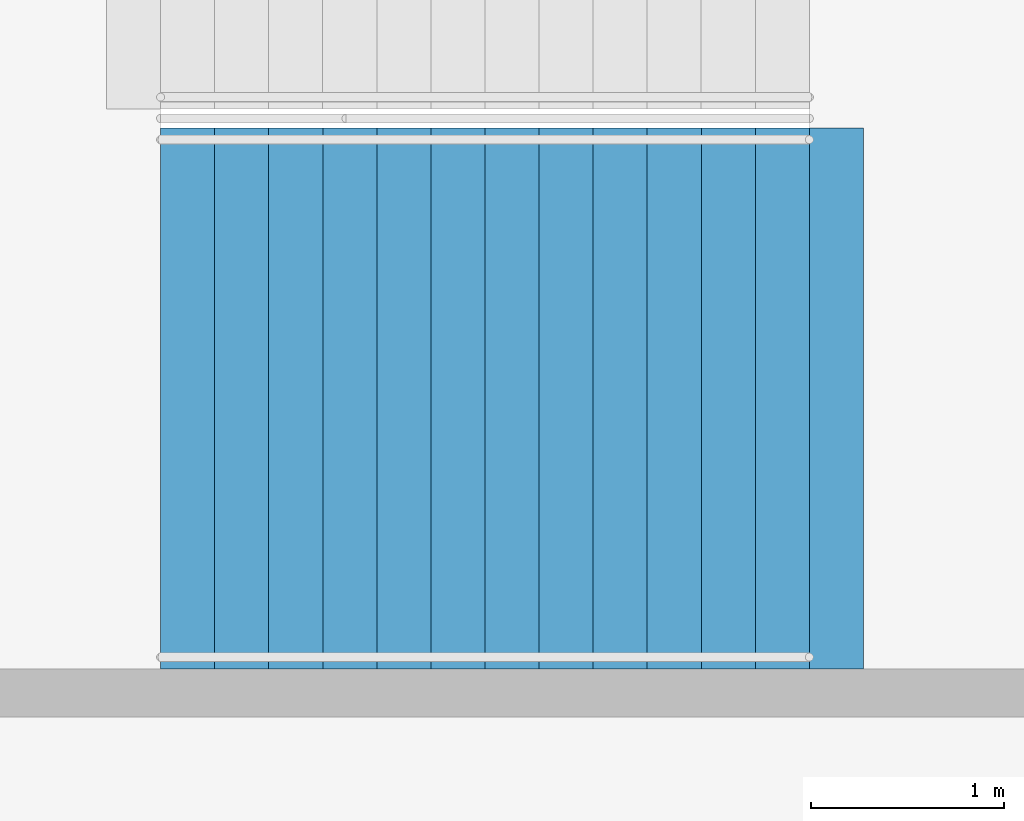
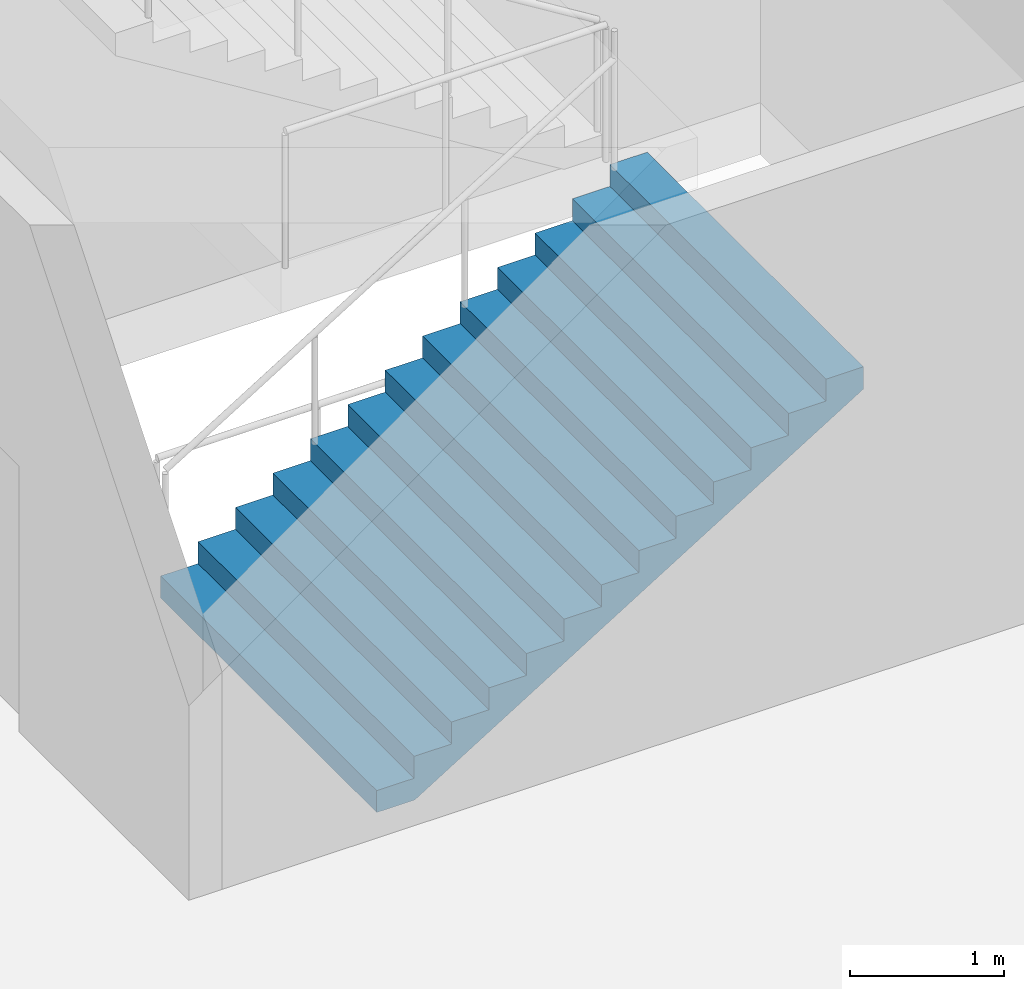
# One storey, part 174 of 199: 1 stair flight, 1 element without a shape of its own.
"""IFC4 building model written with IfcOpenShell, lengths in metres."""

from ifc_helpers import new_model, si_unit, direction, frame, origin, place, context, subcontext, project, spatial, faceted_brep, material, type_object, element, aggregate, save


model = new_model("IFC4")

# Units and contexts
model_context = context("Model", 3, precision=1e-05, world=origin(), true_north=direction((0.0, 1.0)))
body_context = subcontext(model_context, "Body", "Model", "MODEL_VIEW")
ifc_project = project(units=[si_unit("LENGTHUNIT", "METRE"), si_unit("AREAUNIT", "SQUARE_METRE"), si_unit("VOLUMEUNIT", "CUBIC_METRE"), si_unit("PLANEANGLEUNIT", "RADIAN"), si_unit("MASSUNIT", "GRAM", prefix="KILO")], contexts=[model_context])

# Site, building, storey
site_placement = place(None, origin())
site = spatial("IfcSite", under=ifc_project, at=site_placement, CompositionType="ELEMENT")
building_placement = place(site_placement, origin())
building = spatial("IfcBuilding", under=site, at=building_placement, Name="Ogive Plaza Stadium", CompositionType="ELEMENT")
storey_placement = place(building_placement, frame((0.0, 0.0, 4.5)))
storey = spatial("IfcBuildingStorey", under=building, at=storey_placement, Name="L01", CompositionType="ELEMENT", Elevation=4.5)

# Stair, stair flight
ifc_material_1 = material(Name="Concrete C40/50", Category="concrete")
stair_type = type_object("IfcStairType", Name="Exit stair", PredefinedType="STRAIGHT_RUN_STAIR", material=ifc_material_1)
stair_placement = place(storey_placement, origin())
stair = element("IfcStair", 1, at=stair_placement, inside=storey, type_object=stair_type, Name="Exit stair ST02A L01 to L02", PredefinedType="STRAIGHT_RUN_STAIR")
ifc_material_2 = material(Name="Concrete C40/50", Category="concrete")
stair_flight_type = type_object("IfcStairFlightType", Name="Exit stair flight", PredefinedType="STRAIGHT", material=ifc_material_2)
stair_flight_placement = place(storey_placement, frame((76.35009765625, 33.074951171875, 0.0), z_axis=(0.0, 0.0, 1.0), x_axis=(1.0, 0.0, 0.0)))
stair_flight = element("IfcStairFlight", 2, at=stair_flight_placement, type_object=stair_flight_type, Name="ST02A flight 1", NumberOfRisers=13, NumberOfTreads=12, PredefinedType="STRAIGHT", RiserHeight=0.173076923, TreadLength=0.28, context=body_context, shape_type="Brep", body=[
    faceted_brep([(0.28515625, -1.39990234375, 0.0), (3.639892578125, -1.39990234375, 2.07373046875), (3.639892578125, -1.39990234375, 2.25), (3.360107421875, -1.39990234375, 2.25), (3.360107421875, -1.39990234375, 2.076904296875), (3.080078125, -1.39990234375, 2.076904296875), (3.080078125, -1.39990234375, 1.90380859375), (2.800048828125, -1.39990234375, 1.90380859375), (2.800048828125, -1.39990234375, 1.730712890625), (2.52001953125, -1.39990234375, 1.730712890625), (2.52001953125, -1.39990234375, 1.5576171875), (2.239990234375, -1.39990234375, 1.5576171875), (2.239990234375, -1.39990234375, 1.384521484375), (1.9599609375, -1.39990234375, 1.384521484375), (1.9599609375, -1.39990234375, 1.21142578125), (1.679931640625, -1.39990234375, 1.21142578125), (1.679931640625, -1.39990234375, 1.03857421875), (1.39990234375, -1.39990234375, 1.03857421875), (1.39990234375, -1.39990234375, 0.865478515625), (1.1201171875, -1.39990234375, 0.865478515625), (1.1201171875, -1.39990234375, 0.6923828125), (0.840087890625, -1.39990234375, 0.6923828125), (0.840087890625, -1.39990234375, 0.519287109375), (0.56005859375, -1.39990234375, 0.519287109375), (0.56005859375, -1.39990234375, 0.34619140625), (0.280029296875, -1.39990234375, 0.34619140625), (0.280029296875, -1.39990234375, 0.173095703125), (0.0, -1.39990234375, 0.173095703125), (0.0, -1.39990234375, 0.0), (0.0, 1.39990234375, 0.0), (0.0, 1.39990234375, 0.173095703125), (0.280029296875, 1.39990234375, 0.173095703125), (0.280029296875, 1.39990234375, 0.34619140625), (0.56005859375, 1.39990234375, 0.34619140625), (0.56005859375, 1.39990234375, 0.519287109375), (0.840087890625, 1.39990234375, 0.519287109375), (0.840087890625, 1.39990234375, 0.6923828125), (1.1201171875, 1.39990234375, 0.6923828125), (1.1201171875, 1.39990234375, 0.865478515625), (1.39990234375, 1.39990234375, 0.865478515625), (1.39990234375, 1.39990234375, 1.03857421875), (1.679931640625, 1.39990234375, 1.03857421875), (1.679931640625, 1.39990234375, 1.21142578125), (1.9599609375, 1.39990234375, 1.21142578125), (1.9599609375, 1.39990234375, 1.384521484375), (2.239990234375, 1.39990234375, 1.384521484375), (2.239990234375, 1.39990234375, 1.5576171875), (2.52001953125, 1.39990234375, 1.5576171875), (2.52001953125, 1.39990234375, 1.730712890625), (2.800048828125, 1.39990234375, 1.730712890625), (2.800048828125, 1.39990234375, 1.90380859375), (3.080078125, 1.39990234375, 1.90380859375), (3.080078125, 1.39990234375, 2.076904296875), (3.360107421875, 1.39990234375, 2.076904296875), (3.360107421875, 1.39990234375, 2.25), (3.639892578125, 1.39990234375, 2.25), (3.639892578125, 1.39990234375, 2.07373046875), (0.28515625, 1.39990234375, 0.0), (0.28515625, -1.0888671875, 0.0), (3.639892578125, -1.0888671875, 2.07373046875), (0.28515625, -0.77783203125, 0.0), (3.639892578125, -0.77783203125, 2.07373046875), (0.28515625, -0.466796875, 0.0), (3.639892578125, -0.466796875, 2.07373046875), (0.28515625, -0.155517578125, 0.0), (3.639892578125, -0.155517578125, 2.07373046875), (0.28515625, 0.155517578125, 0.0), (3.639892578125, 0.155517578125, 2.07373046875), (0.28515625, 0.466796875, 0.0), (3.639892578125, 0.466796875, 2.07373046875), (0.28515625, 0.77783203125, 0.0), (3.639892578125, 0.77783203125, 2.07373046875), (0.28515625, 1.0888671875, 0.0), (3.639892578125, 1.0888671875, 2.07373046875), (3.639892578125, -1.0888671875, 2.25), (3.639892578125, -0.77783203125, 2.25), (3.639892578125, -0.466796875, 2.25), (3.639892578125, -0.155517578125, 2.25), (3.639892578125, 0.155517578125, 2.25), (3.639892578125, 0.466796875, 2.25), (3.639892578125, 0.77783203125, 2.25), (3.639892578125, 1.0888671875, 2.25), (3.360107421875, -1.0888671875, 2.25), (3.360107421875, -0.77783203125, 2.25), (3.360107421875, -0.466796875, 2.25), (3.360107421875, -0.155517578125, 2.25), (3.360107421875, 0.155517578125, 2.25), (3.360107421875, 0.466796875, 2.25), (3.360107421875, 0.77783203125, 2.25), (3.360107421875, 1.0888671875, 2.25), (3.360107421875, -1.0888671875, 2.076904296875), (3.360107421875, -0.77783203125, 2.076904296875), (3.360107421875, -0.466796875, 2.076904296875), (3.360107421875, -0.155517578125, 2.076904296875), (3.360107421875, 0.155517578125, 2.076904296875), (3.360107421875, 0.466796875, 2.076904296875), (3.360107421875, 0.77783203125, 2.076904296875), (3.360107421875, 1.0888671875, 2.076904296875), (3.080078125, -1.0888671875, 2.076904296875), (3.080078125, -0.77783203125, 2.076904296875), (3.080078125, -0.466796875, 2.076904296875), (3.080078125, -0.155517578125, 2.076904296875), (3.080078125, 0.155517578125, 2.076904296875), (3.080078125, 0.466796875, 2.076904296875), (3.080078125, 0.77783203125, 2.076904296875), (3.080078125, 1.0888671875, 2.076904296875), (3.080078125, -1.0888671875, 1.90380859375), (3.080078125, -0.77783203125, 1.90380859375), (3.080078125, -0.466796875, 1.90380859375), (3.080078125, -0.155517578125, 1.90380859375), (3.080078125, 0.155517578125, 1.90380859375), (3.080078125, 0.466796875, 1.90380859375), (3.080078125, 0.77783203125, 1.90380859375), (3.080078125, 1.0888671875, 1.90380859375), (2.800048828125, -1.0888671875, 1.90380859375), (2.800048828125, -0.77783203125, 1.90380859375), (2.800048828125, -0.466796875, 1.90380859375), (2.800048828125, -0.155517578125, 1.90380859375), (2.800048828125, 0.155517578125, 1.90380859375), (2.800048828125, 0.466796875, 1.90380859375), (2.800048828125, 0.77783203125, 1.90380859375), (2.800048828125, 1.0888671875, 1.90380859375), (2.800048828125, -1.0888671875, 1.730712890625), (2.800048828125, -0.77783203125, 1.730712890625), (2.800048828125, -0.466796875, 1.730712890625), (2.800048828125, -0.155517578125, 1.730712890625), (2.800048828125, 0.155517578125, 1.730712890625), (2.800048828125, 0.466796875, 1.730712890625), (2.800048828125, 0.77783203125, 1.730712890625), (2.800048828125, 1.0888671875, 1.730712890625), (2.52001953125, -1.0888671875, 1.730712890625), (2.52001953125, -0.77783203125, 1.730712890625), (2.52001953125, -0.466796875, 1.730712890625), (2.52001953125, -0.155517578125, 1.730712890625), (2.52001953125, 0.155517578125, 1.730712890625), (2.52001953125, 0.466796875, 1.730712890625), (2.52001953125, 0.77783203125, 1.730712890625), (2.52001953125, 1.0888671875, 1.730712890625), (2.52001953125, -1.0888671875, 1.5576171875), (2.52001953125, -0.77783203125, 1.5576171875), (2.52001953125, -0.466796875, 1.5576171875), (2.52001953125, -0.155517578125, 1.5576171875), (2.52001953125, 0.155517578125, 1.5576171875), (2.52001953125, 0.466796875, 1.5576171875), (2.52001953125, 0.77783203125, 1.5576171875), (2.52001953125, 1.0888671875, 1.5576171875), (2.239990234375, -1.0888671875, 1.5576171875), (2.239990234375, -0.77783203125, 1.5576171875), (2.239990234375, -0.466796875, 1.5576171875), (2.239990234375, -0.155517578125, 1.5576171875), (2.239990234375, 0.155517578125, 1.5576171875), (2.239990234375, 0.466796875, 1.5576171875), (2.239990234375, 0.77783203125, 1.5576171875), (2.239990234375, 1.0888671875, 1.5576171875), (2.239990234375, -1.0888671875, 1.384521484375), (2.239990234375, -0.77783203125, 1.384521484375), (2.239990234375, -0.466796875, 1.384521484375), (2.239990234375, -0.155517578125, 1.384521484375), (2.239990234375, 0.155517578125, 1.384521484375), (2.239990234375, 0.466796875, 1.384521484375), (2.239990234375, 0.77783203125, 1.384521484375), (2.239990234375, 1.0888671875, 1.384521484375), (1.9599609375, -1.0888671875, 1.384521484375), (1.9599609375, -0.77783203125, 1.384521484375), (1.9599609375, -0.466796875, 1.384521484375), (1.9599609375, -0.155517578125, 1.384521484375), (1.9599609375, 0.155517578125, 1.384521484375), (1.9599609375, 0.466796875, 1.384521484375), (1.9599609375, 0.77783203125, 1.384521484375), (1.9599609375, 1.0888671875, 1.384521484375), (1.9599609375, -1.0888671875, 1.21142578125), (1.9599609375, -0.77783203125, 1.21142578125), (1.9599609375, -0.466796875, 1.21142578125), (1.9599609375, -0.155517578125, 1.21142578125), (1.9599609375, 0.155517578125, 1.21142578125), (1.9599609375, 0.466796875, 1.21142578125), (1.9599609375, 0.77783203125, 1.21142578125), (1.9599609375, 1.0888671875, 1.21142578125), (1.679931640625, -1.0888671875, 1.21142578125), (1.679931640625, -0.77783203125, 1.21142578125), (1.679931640625, -0.466796875, 1.21142578125), (1.679931640625, -0.155517578125, 1.21142578125), (1.679931640625, 0.155517578125, 1.21142578125), (1.679931640625, 0.466796875, 1.21142578125), (1.679931640625, 0.77783203125, 1.21142578125), (1.679931640625, 1.0888671875, 1.21142578125), (1.679931640625, -1.0888671875, 1.03857421875), (1.679931640625, -0.77783203125, 1.03857421875), (1.679931640625, -0.466796875, 1.03857421875), (1.679931640625, -0.155517578125, 1.03857421875), (1.679931640625, 0.155517578125, 1.03857421875), (1.679931640625, 0.466796875, 1.03857421875), (1.679931640625, 0.77783203125, 1.03857421875), (1.679931640625, 1.0888671875, 1.03857421875), (1.39990234375, -1.0888671875, 1.03857421875), (1.39990234375, -0.77783203125, 1.03857421875), (1.39990234375, -0.466796875, 1.03857421875), (1.39990234375, -0.155517578125, 1.03857421875), (1.39990234375, 0.155517578125, 1.03857421875), (1.39990234375, 0.466796875, 1.03857421875), (1.39990234375, 0.77783203125, 1.03857421875), (1.39990234375, 1.0888671875, 1.03857421875), (1.39990234375, -1.0888671875, 0.865478515625), (1.39990234375, -0.77783203125, 0.865478515625), (1.39990234375, -0.466796875, 0.865478515625), (1.39990234375, -0.155517578125, 0.865478515625), (1.39990234375, 0.155517578125, 0.865478515625), (1.39990234375, 0.466796875, 0.865478515625), (1.39990234375, 0.77783203125, 0.865478515625), (1.39990234375, 1.0888671875, 0.865478515625), (1.1201171875, -1.0888671875, 0.865478515625), (1.1201171875, -0.77783203125, 0.865478515625), (1.1201171875, -0.466796875, 0.865478515625), (1.1201171875, -0.155517578125, 0.865478515625), (1.1201171875, 0.155517578125, 0.865478515625), (1.1201171875, 0.466796875, 0.865478515625), (1.1201171875, 0.77783203125, 0.865478515625), (1.1201171875, 1.0888671875, 0.865478515625), (1.1201171875, -1.0888671875, 0.6923828125), (1.1201171875, -0.77783203125, 0.6923828125), (1.1201171875, -0.466796875, 0.6923828125), (1.1201171875, -0.155517578125, 0.6923828125), (1.1201171875, 0.155517578125, 0.6923828125), (1.1201171875, 0.466796875, 0.6923828125), (1.1201171875, 0.77783203125, 0.6923828125), (1.1201171875, 1.0888671875, 0.6923828125), (0.840087890625, -1.0888671875, 0.6923828125), (0.840087890625, -0.77783203125, 0.6923828125), (0.840087890625, -0.466796875, 0.6923828125), (0.840087890625, -0.155517578125, 0.6923828125), (0.840087890625, 0.155517578125, 0.6923828125), (0.840087890625, 0.466796875, 0.6923828125), (0.840087890625, 0.77783203125, 0.6923828125), (0.840087890625, 1.0888671875, 0.6923828125), (0.840087890625, -1.0888671875, 0.519287109375), (0.840087890625, -0.77783203125, 0.519287109375), (0.840087890625, -0.466796875, 0.519287109375), (0.840087890625, -0.155517578125, 0.519287109375), (0.840087890625, 0.155517578125, 0.519287109375), (0.840087890625, 0.466796875, 0.519287109375), (0.840087890625, 0.77783203125, 0.519287109375), (0.840087890625, 1.0888671875, 0.519287109375), (0.56005859375, -1.0888671875, 0.519287109375), (0.56005859375, -0.77783203125, 0.519287109375), (0.56005859375, -0.466796875, 0.519287109375), (0.56005859375, -0.155517578125, 0.519287109375), (0.56005859375, 0.155517578125, 0.519287109375), (0.56005859375, 0.466796875, 0.519287109375), (0.56005859375, 0.77783203125, 0.519287109375), (0.56005859375, 1.0888671875, 0.519287109375), (0.56005859375, -1.0888671875, 0.34619140625), (0.56005859375, -0.77783203125, 0.34619140625), (0.56005859375, -0.466796875, 0.34619140625), (0.56005859375, -0.155517578125, 0.34619140625), (0.56005859375, 0.155517578125, 0.34619140625), (0.56005859375, 0.466796875, 0.34619140625), (0.56005859375, 0.77783203125, 0.34619140625), (0.56005859375, 1.0888671875, 0.34619140625), (0.280029296875, -1.0888671875, 0.34619140625), (0.280029296875, -0.77783203125, 0.34619140625), (0.280029296875, -0.466796875, 0.34619140625), (0.280029296875, -0.155517578125, 0.34619140625), (0.280029296875, 0.155517578125, 0.34619140625), (0.280029296875, 0.466796875, 0.34619140625), (0.280029296875, 0.77783203125, 0.34619140625), (0.280029296875, 1.0888671875, 0.34619140625), (0.280029296875, -1.0888671875, 0.173095703125), (0.280029296875, -0.77783203125, 0.173095703125), (0.280029296875, -0.466796875, 0.173095703125), (0.280029296875, -0.155517578125, 0.173095703125), (0.280029296875, 0.155517578125, 0.173095703125), (0.280029296875, 0.466796875, 0.173095703125), (0.280029296875, 0.77783203125, 0.173095703125), (0.280029296875, 1.0888671875, 0.173095703125), (0.0, -1.0888671875, 0.173095703125), (0.0, -0.77783203125, 0.173095703125), (0.0, -0.466796875, 0.173095703125), (0.0, -0.155517578125, 0.173095703125), (0.0, 0.155517578125, 0.173095703125), (0.0, 0.466796875, 0.173095703125), (0.0, 0.77783203125, 0.173095703125), (0.0, 1.0888671875, 0.173095703125), (0.0, -1.0888671875, 0.0), (0.0, -0.77783203125, 0.0), (0.0, -0.466796875, 0.0), (0.0, -0.155517578125, 0.0), (0.0, 0.155517578125, 0.0), (0.0, 0.466796875, 0.0), (0.0, 0.77783203125, 0.0), (0.0, 1.0888671875, 0.0)], [[[0, 1, 2, 3, 4, 5, 6, 7, 8, 9, 10, 11, 12, 13, 14, 15, 16, 17, 18, 19, 20, 21, 22, 23, 24, 25, 26, 27, 28]], [[29, 30, 31, 32, 33, 34, 35, 36, 37, 38, 39, 40, 41, 42, 43, 44, 45, 46, 47, 48, 49, 50, 51, 52, 53, 54, 55, 56, 57]], [[0, 58, 59, 1]], [[58, 60, 61, 59]], [[60, 62, 63, 61]], [[62, 64, 65, 63]], [[64, 66, 67, 65]], [[66, 68, 69, 67]], [[68, 70, 71, 69]], [[70, 72, 73, 71]], [[72, 57, 56, 73]], [[1, 59, 74, 2]], [[59, 61, 75, 74]], [[61, 63, 76, 75]], [[63, 65, 77, 76]], [[65, 67, 78, 77]], [[67, 69, 79, 78]], [[69, 71, 80, 79]], [[71, 73, 81, 80]], [[73, 56, 55, 81]], [[2, 74, 82, 3]], [[74, 75, 83, 82]], [[75, 76, 84, 83]], [[76, 77, 85, 84]], [[77, 78, 86, 85]], [[78, 79, 87, 86]], [[79, 80, 88, 87]], [[80, 81, 89, 88]], [[81, 55, 54, 89]], [[3, 82, 90, 4]], [[82, 83, 91, 90]], [[83, 84, 92, 91]], [[84, 85, 93, 92]], [[85, 86, 94, 93]], [[86, 87, 95, 94]], [[87, 88, 96, 95]], [[88, 89, 97, 96]], [[89, 54, 53, 97]], [[4, 90, 98, 5]], [[90, 91, 99, 98]], [[91, 92, 100, 99]], [[92, 93, 101, 100]], [[93, 94, 102, 101]], [[94, 95, 103, 102]], [[95, 96, 104, 103]], [[96, 97, 105, 104]], [[97, 53, 52, 105]], [[5, 98, 106, 6]], [[98, 99, 107, 106]], [[99, 100, 108, 107]], [[100, 101, 109, 108]], [[101, 102, 110, 109]], [[102, 103, 111, 110]], [[103, 104, 112, 111]], [[104, 105, 113, 112]], [[105, 52, 51, 113]], [[6, 106, 114, 7]], [[106, 107, 115, 114]], [[107, 108, 116, 115]], [[108, 109, 117, 116]], [[109, 110, 118, 117]], [[110, 111, 119, 118]], [[111, 112, 120, 119]], [[112, 113, 121, 120]], [[113, 51, 50, 121]], [[7, 114, 122, 8]], [[114, 115, 123, 122]], [[115, 116, 124, 123]], [[116, 117, 125, 124]], [[117, 118, 126, 125]], [[118, 119, 127, 126]], [[119, 120, 128, 127]], [[120, 121, 129, 128]], [[121, 50, 49, 129]], [[8, 122, 130, 9]], [[122, 123, 131, 130]], [[123, 124, 132, 131]], [[124, 125, 133, 132]], [[125, 126, 134, 133]], [[126, 127, 135, 134]], [[127, 128, 136, 135]], [[128, 129, 137, 136]], [[129, 49, 48, 137]], [[9, 130, 138, 10]], [[130, 131, 139, 138]], [[131, 132, 140, 139]], [[132, 133, 141, 140]], [[133, 134, 142, 141]], [[134, 135, 143, 142]], [[135, 136, 144, 143]], [[136, 137, 145, 144]], [[137, 48, 47, 145]], [[10, 138, 146, 11]], [[138, 139, 147, 146]], [[139, 140, 148, 147]], [[140, 141, 149, 148]], [[141, 142, 150, 149]], [[142, 143, 151, 150]], [[143, 144, 152, 151]], [[144, 145, 153, 152]], [[145, 47, 46, 153]], [[11, 146, 154, 12]], [[146, 147, 155, 154]], [[147, 148, 156, 155]], [[148, 149, 157, 156]], [[149, 150, 158, 157]], [[150, 151, 159, 158]], [[151, 152, 160, 159]], [[152, 153, 161, 160]], [[153, 46, 45, 161]], [[12, 154, 162, 13]], [[154, 155, 163, 162]], [[155, 156, 164, 163]], [[156, 157, 165, 164]], [[157, 158, 166, 165]], [[158, 159, 167, 166]], [[159, 160, 168, 167]], [[160, 161, 169, 168]], [[161, 45, 44, 169]], [[13, 162, 170, 14]], [[162, 163, 171, 170]], [[163, 164, 172, 171]], [[164, 165, 173, 172]], [[165, 166, 174, 173]], [[166, 167, 175, 174]], [[167, 168, 176, 175]], [[168, 169, 177, 176]], [[169, 44, 43, 177]], [[14, 170, 178, 15]], [[170, 171, 179, 178]], [[171, 172, 180, 179]], [[172, 173, 181, 180]], [[173, 174, 182, 181]], [[174, 175, 183, 182]], [[175, 176, 184, 183]], [[176, 177, 185, 184]], [[177, 43, 42, 185]], [[15, 178, 186, 16]], [[178, 179, 187, 186]], [[179, 180, 188, 187]], [[180, 181, 189, 188]], [[181, 182, 190, 189]], [[182, 183, 191, 190]], [[183, 184, 192, 191]], [[184, 185, 193, 192]], [[185, 42, 41, 193]], [[16, 186, 194, 17]], [[186, 187, 195, 194]], [[187, 188, 196, 195]], [[188, 189, 197, 196]], [[189, 190, 198, 197]], [[190, 191, 199, 198]], [[191, 192, 200, 199]], [[192, 193, 201, 200]], [[193, 41, 40, 201]], [[17, 194, 202, 18]], [[194, 195, 203, 202]], [[195, 196, 204, 203]], [[196, 197, 205, 204]], [[197, 198, 206, 205]], [[198, 199, 207, 206]], [[199, 200, 208, 207]], [[200, 201, 209, 208]], [[201, 40, 39, 209]], [[18, 202, 210, 19]], [[202, 203, 211, 210]], [[203, 204, 212, 211]], [[204, 205, 213, 212]], [[205, 206, 214, 213]], [[206, 207, 215, 214]], [[207, 208, 216, 215]], [[208, 209, 217, 216]], [[209, 39, 38, 217]], [[19, 210, 218, 20]], [[210, 211, 219, 218]], [[211, 212, 220, 219]], [[212, 213, 221, 220]], [[213, 214, 222, 221]], [[214, 215, 223, 222]], [[215, 216, 224, 223]], [[216, 217, 225, 224]], [[217, 38, 37, 225]], [[20, 218, 226, 21]], [[218, 219, 227, 226]], [[219, 220, 228, 227]], [[220, 221, 229, 228]], [[221, 222, 230, 229]], [[222, 223, 231, 230]], [[223, 224, 232, 231]], [[224, 225, 233, 232]], [[225, 37, 36, 233]], [[21, 226, 234, 22]], [[226, 227, 235, 234]], [[227, 228, 236, 235]], [[228, 229, 237, 236]], [[229, 230, 238, 237]], [[230, 231, 239, 238]], [[231, 232, 240, 239]], [[232, 233, 241, 240]], [[233, 36, 35, 241]], [[22, 234, 242, 23]], [[234, 235, 243, 242]], [[235, 236, 244, 243]], [[236, 237, 245, 244]], [[237, 238, 246, 245]], [[238, 239, 247, 246]], [[239, 240, 248, 247]], [[240, 241, 249, 248]], [[241, 35, 34, 249]], [[23, 242, 250, 24]], [[242, 243, 251, 250]], [[243, 244, 252, 251]], [[244, 245, 253, 252]], [[245, 246, 254, 253]], [[246, 247, 255, 254]], [[247, 248, 256, 255]], [[248, 249, 257, 256]], [[249, 34, 33, 257]], [[24, 250, 258, 25]], [[250, 251, 259, 258]], [[251, 252, 260, 259]], [[252, 253, 261, 260]], [[253, 254, 262, 261]], [[254, 255, 263, 262]], [[255, 256, 264, 263]], [[256, 257, 265, 264]], [[257, 33, 32, 265]], [[25, 258, 266, 26]], [[258, 259, 267, 266]], [[259, 260, 268, 267]], [[260, 261, 269, 268]], [[261, 262, 270, 269]], [[262, 263, 271, 270]], [[263, 264, 272, 271]], [[264, 265, 273, 272]], [[265, 32, 31, 273]], [[26, 266, 274, 27]], [[266, 267, 275, 274]], [[267, 268, 276, 275]], [[268, 269, 277, 276]], [[269, 270, 278, 277]], [[270, 271, 279, 278]], [[271, 272, 280, 279]], [[272, 273, 281, 280]], [[273, 31, 30, 281]], [[27, 274, 282, 28]], [[274, 275, 283, 282]], [[275, 276, 284, 283]], [[276, 277, 285, 284]], [[277, 278, 286, 285]], [[278, 279, 287, 286]], [[279, 280, 288, 287]], [[280, 281, 289, 288]], [[281, 30, 29, 289]], [[28, 282, 58, 0]], [[282, 283, 60, 58]], [[283, 284, 62, 60]], [[284, 285, 64, 62]], [[285, 286, 66, 64]], [[286, 287, 68, 66]], [[287, 288, 70, 68]], [[288, 289, 72, 70]], [[289, 29, 57, 72]]]),
])
aggregate(stair, [stair_flight])

save(model, "model.ifc")
